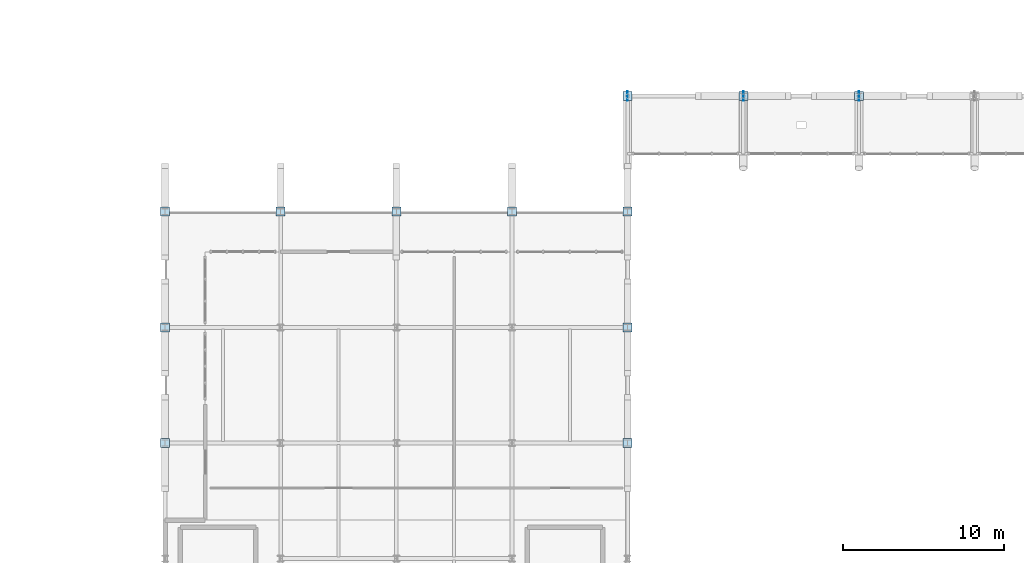
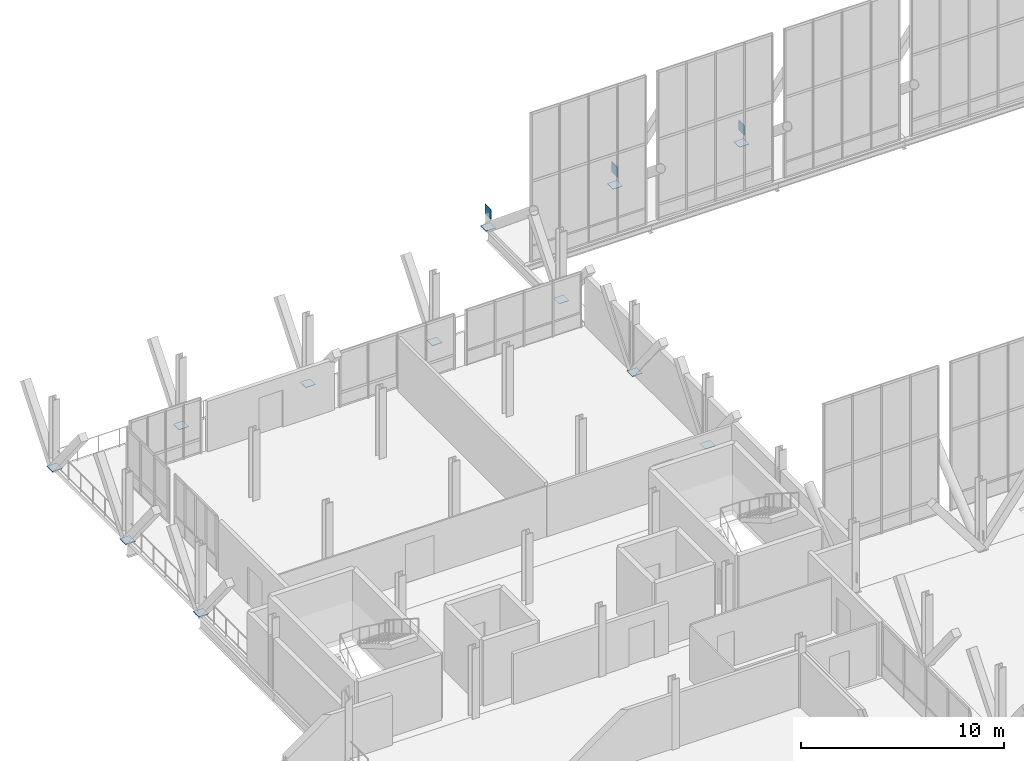
# One storey, part 87 of 102: 15 plates.
"""IFC4 building model written with IfcOpenShell, lengths in metres."""

from ifc_helpers import new_model, si_unit, direction, frame, origin, origin_2d, place, context, subcontext, project, spatial, rectangle, extrude, material, layer, layer_set, type_object, element, save


model = new_model("IFC4")

# Units and contexts
model_context = context("Model", 3, precision=1e-05, world=origin(), true_north=direction((0.0, 1.0)))
body_context = subcontext(model_context, "Body", "Model", "MODEL_VIEW")
ifc_project = project(units=[si_unit("LENGTHUNIT", "METRE"), si_unit("AREAUNIT", "SQUARE_METRE"), si_unit("VOLUMEUNIT", "CUBIC_METRE"), si_unit("PLANEANGLEUNIT", "RADIAN"), si_unit("MASSUNIT", "GRAM", prefix="KILO")], contexts=[model_context])

# Site, building, storey
site_placement = place(None, origin())
site = spatial("IfcSite", under=ifc_project, at=site_placement, CompositionType="ELEMENT")
building_placement = place(site_placement, origin())
building = spatial("IfcBuilding", under=site, at=building_placement, Name="Yarey Park Central Fire Station", CompositionType="ELEMENT")
storey_placement = place(building_placement, frame((0.0, 0.0, 6.0)))
storey = spatial("IfcBuildingStorey", under=building, at=storey_placement, Name="L02", CompositionType="ELEMENT", Elevation=6.0)

# Plates
ifc_material = material(Name="Steel ASTM A572 Gr. 50", Category="steel")
ifc_layer_1 = layer(ifc_material, 0.02001953125)
ifc_layer_set_1 = layer_set([ifc_layer_1], Name="Steel ASTM A572 Gr. 50")
plate_type_1 = type_object("IfcPlateType", Name="STR_PLT_CAP1", PredefinedType="USERDEFINED", material=ifc_layer_set_1)
for number, where, z_axis, x_axis, name in (
    (1, (57.60009765625, 93.60009765625, -0.010009765625), (0.0, 0.0, 1.0), (1.0, 0.0, 0.0), "CAP_PLT_ART_047"),
    (2, (64.800048828125, 93.60009765625, -0.010009765625), (0.0, 0.0, 1.0), (1.0, 0.0, 0.0), "CAP_PLT_ART_052"),
    (3, (72.0, 93.60009765625, -0.010009765625), (0.0, 0.0, 1.0), (1.0, 0.0, 0.0), "CAP_PLT_ART_057"),
    (4, (28.800048828125, 86.39990234375, 0.0), (0.0, 0.0, 1.0), (1.0, 0.0, 0.0), "CAP_PLT_RGS_01"),
    (5, (36.0, 86.39990234375, 0.0), (0.0, 0.0, 1.0), (1.0, 0.0, 0.0), "CAP_PLT_RGS_02"),
    (6, (43.199951171875, 86.39990234375, 0.0), (0.0, 0.0, 1.0), (1.0, 0.0, 0.0), "CAP_PLT_RGS_03"),
    (7, (50.39990234375, 86.39990234375, 0.0), (0.0, 0.0, 1.0), (1.0, 0.0, 0.0), "CAP_PLT_RGS_04"),
    (8, (57.60009765625, 86.39990234375, 0.0), (0.0, 0.0, 1.0), (1.0, 0.0, 0.0), "CAP_PLT_RGS_05"),
    (9, (28.800048828125, 72.0, 0.0), (0.0, 0.0, 1.0), (1.0, 0.0, 0.0), "CAP_PLT_RGS_10"),
    (10, (28.800048828125, 79.199951171875, 0.0), (0.0, 0.0, 1.0), (1.0, 0.0, 0.0), "CAP_PLT_RGS_11"),
    (11, (57.60009765625, 72.0, 0.0), (0.0, 0.0, 1.0), (1.0, 0.0, 0.0), "CAP_PLT_RGS_19"),
    (12, (57.60009765625, 79.199951171875, 0.0), (0.0, 0.0, 1.0), (1.0, 0.0, 0.0), "CAP_PLT_RGS_20"),
):
    element("IfcPlate", number, at=place(storey_placement, frame(where, z_axis=z_axis, x_axis=x_axis)), inside=storey, type_object=plate_type_1, Name=name, ObjectType="GUSSET_PLATE", PredefinedType="USERDEFINED", context=body_context, shape_type="SweptSolid", body=[
        extrude(rectangle(XDim=0.56005859375, YDim=0.56005859375, at=origin_2d()), origin(), (0.0, 0.0, 1.0), 0.02001953125),
    ])
ifc_layer_2 = layer(ifc_material, 0.030029296875)
ifc_layer_set_2 = layer_set([ifc_layer_2], Name="Steel ASTM A572 Gr. 50")
plate_type_2 = type_object("IfcPlateType", Name="STR_PLT_NODE1", PredefinedType="USERDEFINED", material=ifc_layer_set_2)
for number, where, z_axis, x_axis, name in (
    (13, (57.60009765625, 93.60009765625, 0.619873046875), (0.0, 0.0, 1.0), (1.0, 0.0, 0.0), "NODE_PLT_ART_046"),
    (14, (64.800048828125, 93.60009765625, 0.619873046875), (0.0, 0.0, 1.0), (1.0, 0.0, 0.0), "NODE_PLT_ART_051"),
    (15, (72.0, 93.60009765625, 0.619873046875), (0.0, 0.0, 1.0), (1.0, 0.0, 0.0), "NODE_PLT_ART_056"),
):
    element("IfcPlate", number, at=place(storey_placement, frame(where, z_axis=z_axis, x_axis=x_axis)), inside=storey, type_object=plate_type_2, Name=name, ObjectType="GUSSET_PLATE", PredefinedType="USERDEFINED", context=body_context, shape_type="SweptSolid", body=[
        extrude(rectangle(XDim=0.030029296875, YDim=0.60009765625, at=origin_2d()), origin(), (0.0, 0.0, 1.0), 0.60009765625),
    ])

save(model, "model.ifc")
